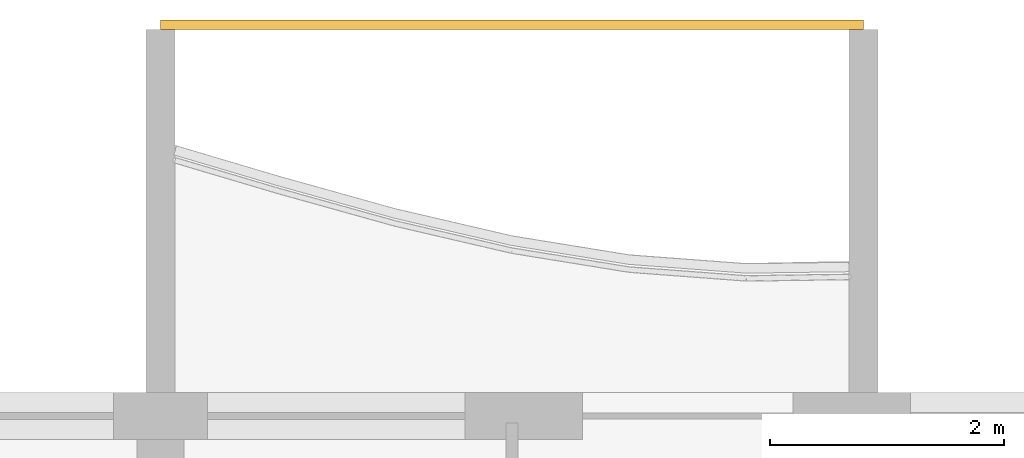
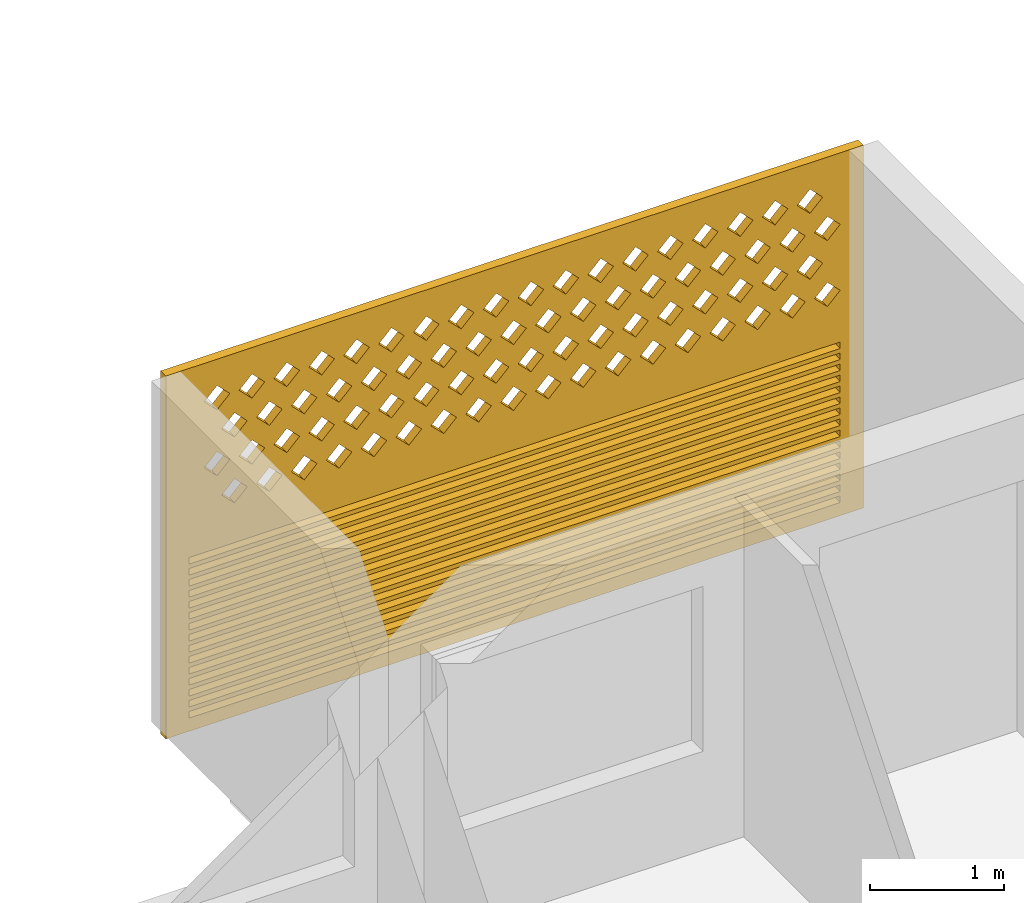
# One storey, part 23 of 38: 1 covering.
"""IFC4 building model written with IfcOpenShell, lengths in metres."""

from ifc_helpers import new_model, si_unit, direction, frame, origin, place, context, subcontext, project, spatial, polyline, outline, extrude, source, transform, mapped, material, material_profile, profile_set, type_object, element, save


model = new_model("IFC4")

# Units and contexts
model_context = context("Model", 3, precision=1e-05, world=origin(), true_north=direction((0.0, 1.0)))
body_context = subcontext(model_context, "Body", "Model", "MODEL_VIEW")
ifc_project = project(units=[si_unit("LENGTHUNIT", "METRE"), si_unit("AREAUNIT", "SQUARE_METRE"), si_unit("VOLUMEUNIT", "CUBIC_METRE"), si_unit("PLANEANGLEUNIT", "RADIAN"), si_unit("MASSUNIT", "GRAM", prefix="KILO")], contexts=[model_context])

# Site, building, storey
site_placement = place(None, origin())
site = spatial("IfcSite", under=ifc_project, at=site_placement, CompositionType="ELEMENT")
building_placement = place(site_placement, origin())
building = spatial("IfcBuilding", under=site, at=building_placement, Name="Poui Terraces", CompositionType="ELEMENT")
storey_placement = place(building_placement, frame((0.0, 0.0, 49.800048828125)))
storey = spatial("IfcBuildingStorey", under=building, at=storey_placement, Name="L13", CompositionType="ELEMENT", Elevation=49.800048828125)

# Covering
ifc_material = material(Name="Terracotta screen", Category="masonry")
ifc_material_profile = material_profile(ifc_material, outline(polyline([(-3.0, -1.64990234375), (3.0, -1.64990234375), (3.0, 1.64990234375), (-3.0, 1.64990234375), (-3.0, -1.64990234375)]), holes=[polyline([(-2.800048828125, 0.39990234375), (-2.68994140625, 0.2900390625), (-2.580078125, 0.39990234375), (-2.68994140625, 0.510009765625), (-2.800048828125, 0.39990234375)]), polyline([(-2.5, 0.39990234375), (-2.389892578125, 0.2900390625), (-2.280029296875, 0.39990234375), (-2.389892578125, 0.510009765625), (-2.5, 0.39990234375)]), polyline([(-2.199951171875, 0.39990234375), (-2.090087890625, 0.2900390625), (-1.97998046875, 0.39990234375), (-2.090087890625, 0.510009765625), (-2.199951171875, 0.39990234375)]), polyline([(-1.89990234375, 0.39990234375), (-1.7900390625, 0.2900390625), (-1.679931640625, 0.39990234375), (-1.7900390625, 0.510009765625), (-1.89990234375, 0.39990234375)]), polyline([(-1.60009765625, 0.39990234375), (-1.489990234375, 0.2900390625), (-1.3798828125, 0.39990234375), (-1.489990234375, 0.510009765625), (-1.60009765625, 0.39990234375)]), polyline([(-1.300048828125, 0.39990234375), (-1.18994140625, 0.2900390625), (-1.080078125, 0.39990234375), (-1.18994140625, 0.510009765625), (-1.300048828125, 0.39990234375)]), polyline([(-1.0, 0.39990234375), (-0.889892578125, 0.2900390625), (-0.780029296875, 0.39990234375), (-0.889892578125, 0.510009765625), (-1.0, 0.39990234375)]), polyline([(-0.699951171875, 0.39990234375), (-0.590087890625, 0.2900390625), (-0.47998046875, 0.39990234375), (-0.590087890625, 0.510009765625), (-0.699951171875, 0.39990234375)]), polyline([(-0.39990234375, 0.39990234375), (-0.2900390625, 0.2900390625), (-0.179931640625, 0.39990234375), (-0.2900390625, 0.510009765625), (-0.39990234375, 0.39990234375)]), polyline([(-0.10009765625, 0.39990234375), (0.010009765625, 0.2900390625), (0.1201171875, 0.39990234375), (0.010009765625, 0.510009765625), (-0.10009765625, 0.39990234375)]), polyline([(0.199951171875, 0.39990234375), (0.31005859375, 0.2900390625), (0.419921875, 0.39990234375), (0.31005859375, 0.510009765625), (0.199951171875, 0.39990234375)]), polyline([(0.5, 0.39990234375), (0.610107421875, 0.2900390625), (0.719970703125, 0.39990234375), (0.610107421875, 0.510009765625), (0.5, 0.39990234375)]), polyline([(0.800048828125, 0.39990234375), (0.909912109375, 0.2900390625), (1.02001953125, 0.39990234375), (0.909912109375, 0.510009765625), (0.800048828125, 0.39990234375)]), polyline([(1.10009765625, 0.39990234375), (1.2099609375, 0.2900390625), (1.320068359375, 0.39990234375), (1.2099609375, 0.510009765625), (1.10009765625, 0.39990234375)]), polyline([(1.39990234375, 0.39990234375), (1.510009765625, 0.2900390625), (1.6201171875, 0.39990234375), (1.510009765625, 0.510009765625), (1.39990234375, 0.39990234375)]), polyline([(1.699951171875, 0.39990234375), (1.81005859375, 0.2900390625), (1.919921875, 0.39990234375), (1.81005859375, 0.510009765625), (1.699951171875, 0.39990234375)]), polyline([(2.0, 0.39990234375), (2.110107421875, 0.2900390625), (2.219970703125, 0.39990234375), (2.110107421875, 0.510009765625), (2.0, 0.39990234375)]), polyline([(2.300048828125, 0.39990234375), (2.409912109375, 0.2900390625), (2.52001953125, 0.39990234375), (2.409912109375, 0.510009765625), (2.300048828125, 0.39990234375)]), polyline([(-2.64990234375, 0.699951171875), (-2.5400390625, 0.590087890625), (-2.429931640625, 0.699951171875), (-2.5400390625, 0.81005859375), (-2.64990234375, 0.699951171875)]), polyline([(-2.35009765625, 0.699951171875), (-2.239990234375, 0.590087890625), (-2.1298828125, 0.699951171875), (-2.239990234375, 0.81005859375), (-2.35009765625, 0.699951171875)]), polyline([(-2.050048828125, 0.699951171875), (-1.93994140625, 0.590087890625), (-1.830078125, 0.699951171875), (-1.93994140625, 0.81005859375), (-2.050048828125, 0.699951171875)]), polyline([(-1.75, 0.699951171875), (-1.639892578125, 0.590087890625), (-1.530029296875, 0.699951171875), (-1.639892578125, 0.81005859375), (-1.75, 0.699951171875)]), polyline([(-1.449951171875, 0.699951171875), (-1.340087890625, 0.590087890625), (-1.22998046875, 0.699951171875), (-1.340087890625, 0.81005859375), (-1.449951171875, 0.699951171875)]), polyline([(-1.14990234375, 0.699951171875), (-1.0400390625, 0.590087890625), (-0.929931640625, 0.699951171875), (-1.0400390625, 0.81005859375), (-1.14990234375, 0.699951171875)]), polyline([(-0.85009765625, 0.699951171875), (-0.739990234375, 0.590087890625), (-0.6298828125, 0.699951171875), (-0.739990234375, 0.81005859375), (-0.85009765625, 0.699951171875)]), polyline([(-0.550048828125, 0.699951171875), (-0.43994140625, 0.590087890625), (-0.330078125, 0.699951171875), (-0.43994140625, 0.81005859375), (-0.550048828125, 0.699951171875)]), polyline([(-0.25, 0.699951171875), (-0.139892578125, 0.590087890625), (-0.030029296875, 0.699951171875), (-0.139892578125, 0.81005859375), (-0.25, 0.699951171875)]), polyline([(0.050048828125, 0.699951171875), (0.159912109375, 0.590087890625), (0.27001953125, 0.699951171875), (0.159912109375, 0.81005859375), (0.050048828125, 0.699951171875)]), polyline([(0.35009765625, 0.699951171875), (0.4599609375, 0.590087890625), (0.570068359375, 0.699951171875), (0.4599609375, 0.81005859375), (0.35009765625, 0.699951171875)]), polyline([(0.64990234375, 0.699951171875), (0.760009765625, 0.590087890625), (0.8701171875, 0.699951171875), (0.760009765625, 0.81005859375), (0.64990234375, 0.699951171875)]), polyline([(0.949951171875, 0.699951171875), (1.06005859375, 0.590087890625), (1.169921875, 0.699951171875), (1.06005859375, 0.81005859375), (0.949951171875, 0.699951171875)]), polyline([(1.25, 0.699951171875), (1.360107421875, 0.590087890625), (1.469970703125, 0.699951171875), (1.360107421875, 0.81005859375), (1.25, 0.699951171875)]), polyline([(1.550048828125, 0.699951171875), (1.659912109375, 0.590087890625), (1.77001953125, 0.699951171875), (1.659912109375, 0.81005859375), (1.550048828125, 0.699951171875)]), polyline([(1.85009765625, 0.699951171875), (1.9599609375, 0.590087890625), (2.070068359375, 0.699951171875), (1.9599609375, 0.81005859375), (1.85009765625, 0.699951171875)]), polyline([(2.14990234375, 0.699951171875), (2.260009765625, 0.590087890625), (2.3701171875, 0.699951171875), (2.260009765625, 0.81005859375), (2.14990234375, 0.699951171875)]), polyline([(2.449951171875, 0.699951171875), (2.56005859375, 0.590087890625), (2.669921875, 0.699951171875), (2.56005859375, 0.81005859375), (2.449951171875, 0.699951171875)]), polyline([(-2.800048828125, 1.0), (-2.68994140625, 0.889892578125), (-2.580078125, 1.0), (-2.68994140625, 1.110107421875), (-2.800048828125, 1.0)]), polyline([(-2.5, 1.0), (-2.389892578125, 0.889892578125), (-2.280029296875, 1.0), (-2.389892578125, 1.110107421875), (-2.5, 1.0)]), polyline([(-2.199951171875, 1.0), (-2.090087890625, 0.889892578125), (-1.97998046875, 1.0), (-2.090087890625, 1.110107421875), (-2.199951171875, 1.0)]), polyline([(-1.89990234375, 1.0), (-1.7900390625, 0.889892578125), (-1.679931640625, 1.0), (-1.7900390625, 1.110107421875), (-1.89990234375, 1.0)]), polyline([(-1.60009765625, 1.0), (-1.489990234375, 0.889892578125), (-1.3798828125, 1.0), (-1.489990234375, 1.110107421875), (-1.60009765625, 1.0)]), polyline([(-1.300048828125, 1.0), (-1.18994140625, 0.889892578125), (-1.080078125, 1.0), (-1.18994140625, 1.110107421875), (-1.300048828125, 1.0)]), polyline([(-1.0, 1.0), (-0.889892578125, 0.889892578125), (-0.780029296875, 1.0), (-0.889892578125, 1.110107421875), (-1.0, 1.0)]), polyline([(-0.699951171875, 1.0), (-0.590087890625, 0.889892578125), (-0.47998046875, 1.0), (-0.590087890625, 1.110107421875), (-0.699951171875, 1.0)]), polyline([(-0.39990234375, 1.0), (-0.2900390625, 0.889892578125), (-0.179931640625, 1.0), (-0.2900390625, 1.110107421875), (-0.39990234375, 1.0)]), polyline([(-0.10009765625, 1.0), (0.010009765625, 0.889892578125), (0.1201171875, 1.0), (0.010009765625, 1.110107421875), (-0.10009765625, 1.0)]), polyline([(0.199951171875, 1.0), (0.31005859375, 0.889892578125), (0.419921875, 1.0), (0.31005859375, 1.110107421875), (0.199951171875, 1.0)]), polyline([(0.5, 1.0), (0.610107421875, 0.889892578125), (0.719970703125, 1.0), (0.610107421875, 1.110107421875), (0.5, 1.0)]), polyline([(0.800048828125, 1.0), (0.909912109375, 0.889892578125), (1.02001953125, 1.0), (0.909912109375, 1.110107421875), (0.800048828125, 1.0)]), polyline([(1.10009765625, 1.0), (1.2099609375, 0.889892578125), (1.320068359375, 1.0), (1.2099609375, 1.110107421875), (1.10009765625, 1.0)]), polyline([(1.39990234375, 1.0), (1.510009765625, 0.889892578125), (1.6201171875, 1.0), (1.510009765625, 1.110107421875), (1.39990234375, 1.0)]), polyline([(1.699951171875, 1.0), (1.81005859375, 0.889892578125), (1.919921875, 1.0), (1.81005859375, 1.110107421875), (1.699951171875, 1.0)]), polyline([(2.0, 1.0), (2.110107421875, 0.889892578125), (2.219970703125, 1.0), (2.110107421875, 1.110107421875), (2.0, 1.0)]), polyline([(2.300048828125, 1.0), (2.409912109375, 0.889892578125), (2.52001953125, 1.0), (2.409912109375, 1.110107421875), (2.300048828125, 1.0)]), polyline([(-2.64990234375, 1.300048828125), (-2.5400390625, 1.18994140625), (-2.429931640625, 1.300048828125), (-2.5400390625, 1.409912109375), (-2.64990234375, 1.300048828125)]), polyline([(-2.35009765625, 1.300048828125), (-2.239990234375, 1.18994140625), (-2.1298828125, 1.300048828125), (-2.239990234375, 1.409912109375), (-2.35009765625, 1.300048828125)]), polyline([(-2.050048828125, 1.300048828125), (-1.93994140625, 1.18994140625), (-1.830078125, 1.300048828125), (-1.93994140625, 1.409912109375), (-2.050048828125, 1.300048828125)]), polyline([(-1.75, 1.300048828125), (-1.639892578125, 1.18994140625), (-1.530029296875, 1.300048828125), (-1.639892578125, 1.409912109375), (-1.75, 1.300048828125)]), polyline([(-1.449951171875, 1.300048828125), (-1.340087890625, 1.18994140625), (-1.22998046875, 1.300048828125), (-1.340087890625, 1.409912109375), (-1.449951171875, 1.300048828125)]), polyline([(-1.14990234375, 1.300048828125), (-1.0400390625, 1.18994140625), (-0.929931640625, 1.300048828125), (-1.0400390625, 1.409912109375), (-1.14990234375, 1.300048828125)]), polyline([(-0.85009765625, 1.300048828125), (-0.739990234375, 1.18994140625), (-0.6298828125, 1.300048828125), (-0.739990234375, 1.409912109375), (-0.85009765625, 1.300048828125)]), polyline([(-0.550048828125, 1.300048828125), (-0.43994140625, 1.18994140625), (-0.330078125, 1.300048828125), (-0.43994140625, 1.409912109375), (-0.550048828125, 1.300048828125)]), polyline([(-0.25, 1.300048828125), (-0.139892578125, 1.18994140625), (-0.030029296875, 1.300048828125), (-0.139892578125, 1.409912109375), (-0.25, 1.300048828125)]), polyline([(0.050048828125, 1.300048828125), (0.159912109375, 1.18994140625), (0.27001953125, 1.300048828125), (0.159912109375, 1.409912109375), (0.050048828125, 1.300048828125)]), polyline([(0.35009765625, 1.300048828125), (0.4599609375, 1.18994140625), (0.570068359375, 1.300048828125), (0.4599609375, 1.409912109375), (0.35009765625, 1.300048828125)]), polyline([(0.64990234375, 1.300048828125), (0.760009765625, 1.18994140625), (0.8701171875, 1.300048828125), (0.760009765625, 1.409912109375), (0.64990234375, 1.300048828125)]), polyline([(0.949951171875, 1.300048828125), (1.06005859375, 1.18994140625), (1.169921875, 1.300048828125), (1.06005859375, 1.409912109375), (0.949951171875, 1.300048828125)]), polyline([(1.25, 1.300048828125), (1.360107421875, 1.18994140625), (1.469970703125, 1.300048828125), (1.360107421875, 1.409912109375), (1.25, 1.300048828125)]), polyline([(1.550048828125, 1.300048828125), (1.659912109375, 1.18994140625), (1.77001953125, 1.300048828125), (1.659912109375, 1.409912109375), (1.550048828125, 1.300048828125)]), polyline([(1.85009765625, 1.300048828125), (1.9599609375, 1.18994140625), (2.070068359375, 1.300048828125), (1.9599609375, 1.409912109375), (1.85009765625, 1.300048828125)]), polyline([(2.14990234375, 1.300048828125), (2.260009765625, 1.18994140625), (2.3701171875, 1.300048828125), (2.260009765625, 1.409912109375), (2.14990234375, 1.300048828125)]), polyline([(2.449951171875, 1.300048828125), (2.56005859375, 1.18994140625), (2.669921875, 1.300048828125), (2.56005859375, 1.409912109375), (2.449951171875, 1.300048828125)]), polyline([(-2.800048828125, -1.530029296875), (2.800048828125, -1.530029296875), (2.800048828125, -1.469970703125), (-2.800048828125, -1.469970703125), (-2.800048828125, -1.530029296875)]), polyline([(-2.800048828125, -1.429931640625), (2.800048828125, -1.429931640625), (2.800048828125, -1.3701171875), (-2.800048828125, -1.3701171875), (-2.800048828125, -1.429931640625)]), polyline([(-2.800048828125, -1.330078125), (2.800048828125, -1.330078125), (2.800048828125, -1.27001953125), (-2.800048828125, -1.27001953125), (-2.800048828125, -1.330078125)]), polyline([(-2.800048828125, -1.22998046875), (2.800048828125, -1.22998046875), (2.800048828125, -1.169921875), (-2.800048828125, -1.169921875), (-2.800048828125, -1.22998046875)]), polyline([(-2.800048828125, -1.1298828125), (2.800048828125, -1.1298828125), (2.800048828125, -1.070068359375), (-2.800048828125, -1.070068359375), (-2.800048828125, -1.1298828125)]), polyline([(-2.800048828125, -1.030029296875), (2.800048828125, -1.030029296875), (2.800048828125, -0.969970703125), (-2.800048828125, -0.969970703125), (-2.800048828125, -1.030029296875)]), polyline([(-2.800048828125, -0.929931640625), (2.800048828125, -0.929931640625), (2.800048828125, -0.8701171875), (-2.800048828125, -0.8701171875), (-2.800048828125, -0.929931640625)]), polyline([(-2.800048828125, -0.830078125), (2.800048828125, -0.830078125), (2.800048828125, -0.77001953125), (-2.800048828125, -0.77001953125), (-2.800048828125, -0.830078125)]), polyline([(-2.800048828125, -0.72998046875), (2.800048828125, -0.72998046875), (2.800048828125, -0.669921875), (-2.800048828125, -0.669921875), (-2.800048828125, -0.72998046875)]), polyline([(-2.800048828125, -0.6298828125), (2.800048828125, -0.6298828125), (2.800048828125, -0.570068359375), (-2.800048828125, -0.570068359375), (-2.800048828125, -0.6298828125)]), polyline([(-2.800048828125, -0.530029296875), (2.800048828125, -0.530029296875), (2.800048828125, -0.469970703125), (-2.800048828125, -0.469970703125), (-2.800048828125, -0.530029296875)]), polyline([(-2.800048828125, -0.429931640625), (2.800048828125, -0.429931640625), (2.800048828125, -0.3701171875), (-2.800048828125, -0.3701171875), (-2.800048828125, -0.429931640625)]), polyline([(-2.800048828125, -0.330078125), (2.800048828125, -0.330078125), (2.800048828125, -0.27001953125), (-2.800048828125, -0.27001953125), (-2.800048828125, -0.330078125)]), polyline([(-2.800048828125, -0.22998046875), (2.800048828125, -0.22998046875), (2.800048828125, -0.169921875), (-2.800048828125, -0.169921875), (-2.800048828125, -0.22998046875)]), polyline([(-2.800048828125, -0.1298828125), (2.800048828125, -0.1298828125), (2.800048828125, -0.070068359375), (-2.800048828125, -0.070068359375), (-2.800048828125, -0.1298828125)])]), Name="TERRACOTTA SCREEN AND JALOUSIE LOUVRE 6000X3300")
ifc_profile_set = profile_set([ifc_material_profile], Name="Terracotta screen")
covering_type = type_object("IfcCoveringType", Name="TERRACOTTA SCREEN AND JALOUSIE LOUVRE 6000X3300", PredefinedType="CLADDING", material=ifc_profile_set)
shared_shape = source(origin(), body_context, "Body", "SweptSolid", [
    extrude(outline(polyline([(-3.0, -1.64990234375), (3.0, -1.64990234375), (3.0, 1.64990234375), (-3.0, 1.64990234375), (-3.0, -1.64990234375)]), holes=[polyline([(-2.800048828125, 0.39990234375), (-2.68994140625, 0.2900390625), (-2.580078125, 0.39990234375), (-2.68994140625, 0.510009765625), (-2.800048828125, 0.39990234375)]), polyline([(-2.5, 0.39990234375), (-2.389892578125, 0.2900390625), (-2.280029296875, 0.39990234375), (-2.389892578125, 0.510009765625), (-2.5, 0.39990234375)]), polyline([(-2.199951171875, 0.39990234375), (-2.090087890625, 0.2900390625), (-1.97998046875, 0.39990234375), (-2.090087890625, 0.510009765625), (-2.199951171875, 0.39990234375)]), polyline([(-1.89990234375, 0.39990234375), (-1.7900390625, 0.2900390625), (-1.679931640625, 0.39990234375), (-1.7900390625, 0.510009765625), (-1.89990234375, 0.39990234375)]), polyline([(-1.60009765625, 0.39990234375), (-1.489990234375, 0.2900390625), (-1.3798828125, 0.39990234375), (-1.489990234375, 0.510009765625), (-1.60009765625, 0.39990234375)]), polyline([(-1.300048828125, 0.39990234375), (-1.18994140625, 0.2900390625), (-1.080078125, 0.39990234375), (-1.18994140625, 0.510009765625), (-1.300048828125, 0.39990234375)]), polyline([(-1.0, 0.39990234375), (-0.889892578125, 0.2900390625), (-0.780029296875, 0.39990234375), (-0.889892578125, 0.510009765625), (-1.0, 0.39990234375)]), polyline([(-0.699951171875, 0.39990234375), (-0.590087890625, 0.2900390625), (-0.47998046875, 0.39990234375), (-0.590087890625, 0.510009765625), (-0.699951171875, 0.39990234375)]), polyline([(-0.39990234375, 0.39990234375), (-0.2900390625, 0.2900390625), (-0.179931640625, 0.39990234375), (-0.2900390625, 0.510009765625), (-0.39990234375, 0.39990234375)]), polyline([(-0.10009765625, 0.39990234375), (0.010009765625, 0.2900390625), (0.1201171875, 0.39990234375), (0.010009765625, 0.510009765625), (-0.10009765625, 0.39990234375)]), polyline([(0.199951171875, 0.39990234375), (0.31005859375, 0.2900390625), (0.419921875, 0.39990234375), (0.31005859375, 0.510009765625), (0.199951171875, 0.39990234375)]), polyline([(0.5, 0.39990234375), (0.610107421875, 0.2900390625), (0.719970703125, 0.39990234375), (0.610107421875, 0.510009765625), (0.5, 0.39990234375)]), polyline([(0.800048828125, 0.39990234375), (0.909912109375, 0.2900390625), (1.02001953125, 0.39990234375), (0.909912109375, 0.510009765625), (0.800048828125, 0.39990234375)]), polyline([(1.10009765625, 0.39990234375), (1.2099609375, 0.2900390625), (1.320068359375, 0.39990234375), (1.2099609375, 0.510009765625), (1.10009765625, 0.39990234375)]), polyline([(1.39990234375, 0.39990234375), (1.510009765625, 0.2900390625), (1.6201171875, 0.39990234375), (1.510009765625, 0.510009765625), (1.39990234375, 0.39990234375)]), polyline([(1.699951171875, 0.39990234375), (1.81005859375, 0.2900390625), (1.919921875, 0.39990234375), (1.81005859375, 0.510009765625), (1.699951171875, 0.39990234375)]), polyline([(2.0, 0.39990234375), (2.110107421875, 0.2900390625), (2.219970703125, 0.39990234375), (2.110107421875, 0.510009765625), (2.0, 0.39990234375)]), polyline([(2.300048828125, 0.39990234375), (2.409912109375, 0.2900390625), (2.52001953125, 0.39990234375), (2.409912109375, 0.510009765625), (2.300048828125, 0.39990234375)]), polyline([(-2.64990234375, 0.699951171875), (-2.5400390625, 0.590087890625), (-2.429931640625, 0.699951171875), (-2.5400390625, 0.81005859375), (-2.64990234375, 0.699951171875)]), polyline([(-2.35009765625, 0.699951171875), (-2.239990234375, 0.590087890625), (-2.1298828125, 0.699951171875), (-2.239990234375, 0.81005859375), (-2.35009765625, 0.699951171875)]), polyline([(-2.050048828125, 0.699951171875), (-1.93994140625, 0.590087890625), (-1.830078125, 0.699951171875), (-1.93994140625, 0.81005859375), (-2.050048828125, 0.699951171875)]), polyline([(-1.75, 0.699951171875), (-1.639892578125, 0.590087890625), (-1.530029296875, 0.699951171875), (-1.639892578125, 0.81005859375), (-1.75, 0.699951171875)]), polyline([(-1.449951171875, 0.699951171875), (-1.340087890625, 0.590087890625), (-1.22998046875, 0.699951171875), (-1.340087890625, 0.81005859375), (-1.449951171875, 0.699951171875)]), polyline([(-1.14990234375, 0.699951171875), (-1.0400390625, 0.590087890625), (-0.929931640625, 0.699951171875), (-1.0400390625, 0.81005859375), (-1.14990234375, 0.699951171875)]), polyline([(-0.85009765625, 0.699951171875), (-0.739990234375, 0.590087890625), (-0.6298828125, 0.699951171875), (-0.739990234375, 0.81005859375), (-0.85009765625, 0.699951171875)]), polyline([(-0.550048828125, 0.699951171875), (-0.43994140625, 0.590087890625), (-0.330078125, 0.699951171875), (-0.43994140625, 0.81005859375), (-0.550048828125, 0.699951171875)]), polyline([(-0.25, 0.699951171875), (-0.139892578125, 0.590087890625), (-0.030029296875, 0.699951171875), (-0.139892578125, 0.81005859375), (-0.25, 0.699951171875)]), polyline([(0.050048828125, 0.699951171875), (0.159912109375, 0.590087890625), (0.27001953125, 0.699951171875), (0.159912109375, 0.81005859375), (0.050048828125, 0.699951171875)]), polyline([(0.35009765625, 0.699951171875), (0.4599609375, 0.590087890625), (0.570068359375, 0.699951171875), (0.4599609375, 0.81005859375), (0.35009765625, 0.699951171875)]), polyline([(0.64990234375, 0.699951171875), (0.760009765625, 0.590087890625), (0.8701171875, 0.699951171875), (0.760009765625, 0.81005859375), (0.64990234375, 0.699951171875)]), polyline([(0.949951171875, 0.699951171875), (1.06005859375, 0.590087890625), (1.169921875, 0.699951171875), (1.06005859375, 0.81005859375), (0.949951171875, 0.699951171875)]), polyline([(1.25, 0.699951171875), (1.360107421875, 0.590087890625), (1.469970703125, 0.699951171875), (1.360107421875, 0.81005859375), (1.25, 0.699951171875)]), polyline([(1.550048828125, 0.699951171875), (1.659912109375, 0.590087890625), (1.77001953125, 0.699951171875), (1.659912109375, 0.81005859375), (1.550048828125, 0.699951171875)]), polyline([(1.85009765625, 0.699951171875), (1.9599609375, 0.590087890625), (2.070068359375, 0.699951171875), (1.9599609375, 0.81005859375), (1.85009765625, 0.699951171875)]), polyline([(2.14990234375, 0.699951171875), (2.260009765625, 0.590087890625), (2.3701171875, 0.699951171875), (2.260009765625, 0.81005859375), (2.14990234375, 0.699951171875)]), polyline([(2.449951171875, 0.699951171875), (2.56005859375, 0.590087890625), (2.669921875, 0.699951171875), (2.56005859375, 0.81005859375), (2.449951171875, 0.699951171875)]), polyline([(-2.800048828125, 1.0), (-2.68994140625, 0.889892578125), (-2.580078125, 1.0), (-2.68994140625, 1.110107421875), (-2.800048828125, 1.0)]), polyline([(-2.5, 1.0), (-2.389892578125, 0.889892578125), (-2.280029296875, 1.0), (-2.389892578125, 1.110107421875), (-2.5, 1.0)]), polyline([(-2.199951171875, 1.0), (-2.090087890625, 0.889892578125), (-1.97998046875, 1.0), (-2.090087890625, 1.110107421875), (-2.199951171875, 1.0)]), polyline([(-1.89990234375, 1.0), (-1.7900390625, 0.889892578125), (-1.679931640625, 1.0), (-1.7900390625, 1.110107421875), (-1.89990234375, 1.0)]), polyline([(-1.60009765625, 1.0), (-1.489990234375, 0.889892578125), (-1.3798828125, 1.0), (-1.489990234375, 1.110107421875), (-1.60009765625, 1.0)]), polyline([(-1.300048828125, 1.0), (-1.18994140625, 0.889892578125), (-1.080078125, 1.0), (-1.18994140625, 1.110107421875), (-1.300048828125, 1.0)]), polyline([(-1.0, 1.0), (-0.889892578125, 0.889892578125), (-0.780029296875, 1.0), (-0.889892578125, 1.110107421875), (-1.0, 1.0)]), polyline([(-0.699951171875, 1.0), (-0.590087890625, 0.889892578125), (-0.47998046875, 1.0), (-0.590087890625, 1.110107421875), (-0.699951171875, 1.0)]), polyline([(-0.39990234375, 1.0), (-0.2900390625, 0.889892578125), (-0.179931640625, 1.0), (-0.2900390625, 1.110107421875), (-0.39990234375, 1.0)]), polyline([(-0.10009765625, 1.0), (0.010009765625, 0.889892578125), (0.1201171875, 1.0), (0.010009765625, 1.110107421875), (-0.10009765625, 1.0)]), polyline([(0.199951171875, 1.0), (0.31005859375, 0.889892578125), (0.419921875, 1.0), (0.31005859375, 1.110107421875), (0.199951171875, 1.0)]), polyline([(0.5, 1.0), (0.610107421875, 0.889892578125), (0.719970703125, 1.0), (0.610107421875, 1.110107421875), (0.5, 1.0)]), polyline([(0.800048828125, 1.0), (0.909912109375, 0.889892578125), (1.02001953125, 1.0), (0.909912109375, 1.110107421875), (0.800048828125, 1.0)]), polyline([(1.10009765625, 1.0), (1.2099609375, 0.889892578125), (1.320068359375, 1.0), (1.2099609375, 1.110107421875), (1.10009765625, 1.0)]), polyline([(1.39990234375, 1.0), (1.510009765625, 0.889892578125), (1.6201171875, 1.0), (1.510009765625, 1.110107421875), (1.39990234375, 1.0)]), polyline([(1.699951171875, 1.0), (1.81005859375, 0.889892578125), (1.919921875, 1.0), (1.81005859375, 1.110107421875), (1.699951171875, 1.0)]), polyline([(2.0, 1.0), (2.110107421875, 0.889892578125), (2.219970703125, 1.0), (2.110107421875, 1.110107421875), (2.0, 1.0)]), polyline([(2.300048828125, 1.0), (2.409912109375, 0.889892578125), (2.52001953125, 1.0), (2.409912109375, 1.110107421875), (2.300048828125, 1.0)]), polyline([(-2.64990234375, 1.300048828125), (-2.5400390625, 1.18994140625), (-2.429931640625, 1.300048828125), (-2.5400390625, 1.409912109375), (-2.64990234375, 1.300048828125)]), polyline([(-2.35009765625, 1.300048828125), (-2.239990234375, 1.18994140625), (-2.1298828125, 1.300048828125), (-2.239990234375, 1.409912109375), (-2.35009765625, 1.300048828125)]), polyline([(-2.050048828125, 1.300048828125), (-1.93994140625, 1.18994140625), (-1.830078125, 1.300048828125), (-1.93994140625, 1.409912109375), (-2.050048828125, 1.300048828125)]), polyline([(-1.75, 1.300048828125), (-1.639892578125, 1.18994140625), (-1.530029296875, 1.300048828125), (-1.639892578125, 1.409912109375), (-1.75, 1.300048828125)]), polyline([(-1.449951171875, 1.300048828125), (-1.340087890625, 1.18994140625), (-1.22998046875, 1.300048828125), (-1.340087890625, 1.409912109375), (-1.449951171875, 1.300048828125)]), polyline([(-1.14990234375, 1.300048828125), (-1.0400390625, 1.18994140625), (-0.929931640625, 1.300048828125), (-1.0400390625, 1.409912109375), (-1.14990234375, 1.300048828125)]), polyline([(-0.85009765625, 1.300048828125), (-0.739990234375, 1.18994140625), (-0.6298828125, 1.300048828125), (-0.739990234375, 1.409912109375), (-0.85009765625, 1.300048828125)]), polyline([(-0.550048828125, 1.300048828125), (-0.43994140625, 1.18994140625), (-0.330078125, 1.300048828125), (-0.43994140625, 1.409912109375), (-0.550048828125, 1.300048828125)]), polyline([(-0.25, 1.300048828125), (-0.139892578125, 1.18994140625), (-0.030029296875, 1.300048828125), (-0.139892578125, 1.409912109375), (-0.25, 1.300048828125)]), polyline([(0.050048828125, 1.300048828125), (0.159912109375, 1.18994140625), (0.27001953125, 1.300048828125), (0.159912109375, 1.409912109375), (0.050048828125, 1.300048828125)]), polyline([(0.35009765625, 1.300048828125), (0.4599609375, 1.18994140625), (0.570068359375, 1.300048828125), (0.4599609375, 1.409912109375), (0.35009765625, 1.300048828125)]), polyline([(0.64990234375, 1.300048828125), (0.760009765625, 1.18994140625), (0.8701171875, 1.300048828125), (0.760009765625, 1.409912109375), (0.64990234375, 1.300048828125)]), polyline([(0.949951171875, 1.300048828125), (1.06005859375, 1.18994140625), (1.169921875, 1.300048828125), (1.06005859375, 1.409912109375), (0.949951171875, 1.300048828125)]), polyline([(1.25, 1.300048828125), (1.360107421875, 1.18994140625), (1.469970703125, 1.300048828125), (1.360107421875, 1.409912109375), (1.25, 1.300048828125)]), polyline([(1.550048828125, 1.300048828125), (1.659912109375, 1.18994140625), (1.77001953125, 1.300048828125), (1.659912109375, 1.409912109375), (1.550048828125, 1.300048828125)]), polyline([(1.85009765625, 1.300048828125), (1.9599609375, 1.18994140625), (2.070068359375, 1.300048828125), (1.9599609375, 1.409912109375), (1.85009765625, 1.300048828125)]), polyline([(2.14990234375, 1.300048828125), (2.260009765625, 1.18994140625), (2.3701171875, 1.300048828125), (2.260009765625, 1.409912109375), (2.14990234375, 1.300048828125)]), polyline([(2.449951171875, 1.300048828125), (2.56005859375, 1.18994140625), (2.669921875, 1.300048828125), (2.56005859375, 1.409912109375), (2.449951171875, 1.300048828125)]), polyline([(-2.800048828125, -1.530029296875), (2.800048828125, -1.530029296875), (2.800048828125, -1.469970703125), (-2.800048828125, -1.469970703125), (-2.800048828125, -1.530029296875)]), polyline([(-2.800048828125, -1.429931640625), (2.800048828125, -1.429931640625), (2.800048828125, -1.3701171875), (-2.800048828125, -1.3701171875), (-2.800048828125, -1.429931640625)]), polyline([(-2.800048828125, -1.330078125), (2.800048828125, -1.330078125), (2.800048828125, -1.27001953125), (-2.800048828125, -1.27001953125), (-2.800048828125, -1.330078125)]), polyline([(-2.800048828125, -1.22998046875), (2.800048828125, -1.22998046875), (2.800048828125, -1.169921875), (-2.800048828125, -1.169921875), (-2.800048828125, -1.22998046875)]), polyline([(-2.800048828125, -1.1298828125), (2.800048828125, -1.1298828125), (2.800048828125, -1.070068359375), (-2.800048828125, -1.070068359375), (-2.800048828125, -1.1298828125)]), polyline([(-2.800048828125, -1.030029296875), (2.800048828125, -1.030029296875), (2.800048828125, -0.969970703125), (-2.800048828125, -0.969970703125), (-2.800048828125, -1.030029296875)]), polyline([(-2.800048828125, -0.929931640625), (2.800048828125, -0.929931640625), (2.800048828125, -0.8701171875), (-2.800048828125, -0.8701171875), (-2.800048828125, -0.929931640625)]), polyline([(-2.800048828125, -0.830078125), (2.800048828125, -0.830078125), (2.800048828125, -0.77001953125), (-2.800048828125, -0.77001953125), (-2.800048828125, -0.830078125)]), polyline([(-2.800048828125, -0.72998046875), (2.800048828125, -0.72998046875), (2.800048828125, -0.669921875), (-2.800048828125, -0.669921875), (-2.800048828125, -0.72998046875)]), polyline([(-2.800048828125, -0.6298828125), (2.800048828125, -0.6298828125), (2.800048828125, -0.570068359375), (-2.800048828125, -0.570068359375), (-2.800048828125, -0.6298828125)]), polyline([(-2.800048828125, -0.530029296875), (2.800048828125, -0.530029296875), (2.800048828125, -0.469970703125), (-2.800048828125, -0.469970703125), (-2.800048828125, -0.530029296875)]), polyline([(-2.800048828125, -0.429931640625), (2.800048828125, -0.429931640625), (2.800048828125, -0.3701171875), (-2.800048828125, -0.3701171875), (-2.800048828125, -0.429931640625)]), polyline([(-2.800048828125, -0.330078125), (2.800048828125, -0.330078125), (2.800048828125, -0.27001953125), (-2.800048828125, -0.27001953125), (-2.800048828125, -0.330078125)]), polyline([(-2.800048828125, -0.22998046875), (2.800048828125, -0.22998046875), (2.800048828125, -0.169921875), (-2.800048828125, -0.169921875), (-2.800048828125, -0.22998046875)]), polyline([(-2.800048828125, -0.1298828125), (2.800048828125, -0.1298828125), (2.800048828125, -0.070068359375), (-2.800048828125, -0.070068359375), (-2.800048828125, -0.1298828125)])]), origin(), (0.0, 0.0, 1.0), 0.079833984375),
])
covering_placement = place(storey_placement, frame((21.0, 48.10009765625, 1.449951171875), z_axis=(0.0, 1.0, 0.0), x_axis=(-1.0, 0.0, 0.0)))
element("IfcCovering", 1, at=covering_placement, inside=storey, type_object=covering_type, Name="SOLAR SCREEN AND JALOUSIE LOUVRE", PredefinedType="CLADDING", context=body_context, shape_type="MappedRepresentation", body=[
    mapped(shared_shape, transform((0.0, 0.0, 0.0))),
])

save(model, "model.ifc")
